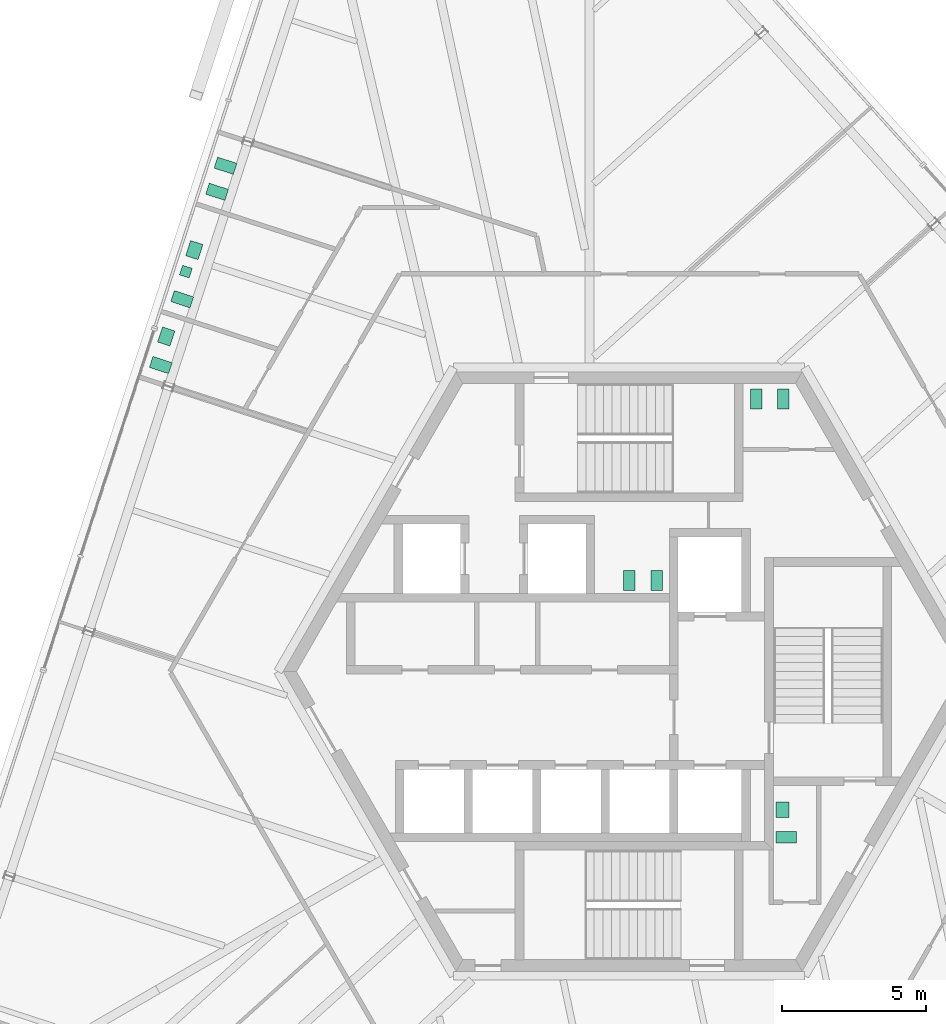
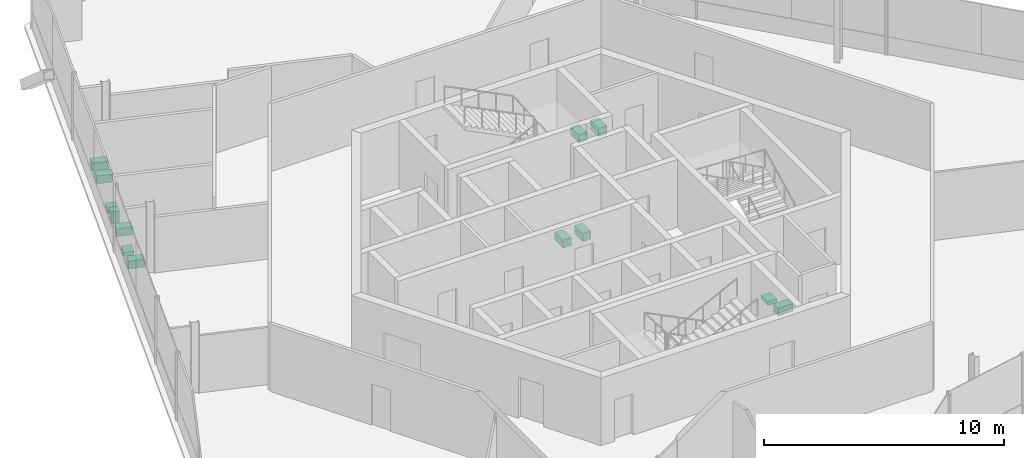
# One storey, part 14 of 14: 13 sanitary terminals.
"""IFC4 building model written with IfcOpenShell, lengths in metres."""

from ifc_helpers import new_model, si_unit, direction, frame, origin, origin_2d, place, context, subcontext, project, spatial, rectangle, extrude, source, transform, mapped, material, element, save


model = new_model("IFC4")

# Units and contexts
model_context = context("Model", 3, precision=1e-05, world=origin(), true_north=direction((0.0, 1.0)))
body_context = subcontext(model_context, "Body", "Model", "MODEL_VIEW")
ifc_project = project(units=[si_unit("LENGTHUNIT", "METRE"), si_unit("AREAUNIT", "SQUARE_METRE"), si_unit("VOLUMEUNIT", "CUBIC_METRE"), si_unit("PLANEANGLEUNIT", "RADIAN"), si_unit("MASSUNIT", "GRAM", prefix="KILO")], contexts=[model_context])

# Site, building, storey
site_placement = place(None, origin())
site = spatial("IfcSite", under=ifc_project, at=site_placement, CompositionType="ELEMENT")
building_placement = place(site_placement, origin())
building = spatial("IfcBuilding", under=site, at=building_placement, Name="Triune Harvest Tower", CompositionType="ELEMENT")
storey_placement = place(building_placement, frame((0.0, 0.0, 263.10009765625)))
storey = spatial("IfcBuildingStorey", under=building, at=storey_placement, Name="L69", CompositionType="ELEMENT", Elevation=263.10009765625)

# Sanitary terminals
ifc_material = material(Name="Vitreous china")
shared_shape_1 = source(origin(), body_context, "Body", "SweptSolid", [
    extrude(rectangle(XDim=0.39990234375, YDim=0.699951171875, at=origin_2d()), origin(), (0.0, 0.0, 1.0), 0.39990234375),
])
for number, where, z_axis, x_axis, name in (
    (1, (4.39990234375, 9.449951171875, 0.0), (0.0, 0.0, 1.0), (1.0, 0.0, 0.0), "Toilet pan L69.c01"),
    (2, (5.35009765625, 9.449951171875, 0.0), (0.0, 0.0, 1.0), (1.0, 0.0, 0.0), "Toilet pan L69.c02"),
    (3, (0.949951171875, 3.159912109375, 0.0), (0.0, 0.0, 1.0), (-1.0, 0.0, 0.0), "Toilet pan L69.c03"),
    (4, (0.0, 3.159912109375, 0.0), (0.0, 0.0, 1.0), (-1.0, 0.0, 0.0), "Toilet pan L69.c04"),
    (5, (5.449951171875, -5.739990234375, 0.0), (0.0, 0.0, 1.0), (0.0, 1.0, 0.0), "Toilet pan L69.c05"),
    (6, (-14.28857421875, 16.635498046875, 0.0), (0.0, 0.0, 1.0), (0.308983796052, 0.951067302444, 0.0), "Toilet pan 01"),
    (7, (-13.9951171875, 17.5390625, 0.0), (0.0, 0.0, 1.0), (0.308983796052, 0.951067302444, 0.0), "Toilet pan 02"),
    (8, (-15.4990234375, 12.910400390625, 0.0), (0.0, 0.0, 1.0), (0.30900039526, 0.951061909514, 0.0), "Toilet pan 03"),
    (9, (-16.240478515625, 10.627685546875, 0.0), (0.0, 0.0, 1.0), (0.308983796052, 0.951067302444, 0.0), "Toilet pan 06"),
):
    element("IfcSanitaryTerminal", number, at=place(storey_placement, frame(where, z_axis=z_axis, x_axis=x_axis)), inside=storey, material=ifc_material, Name=name, PredefinedType="TOILETPAN", context=body_context, shape_type="MappedRepresentation", body=[
        mapped(shared_shape_1, transform((0.0, 0.0, 0.0), scale=1.0)),
    ])
shared_shape_2 = source(origin(), body_context, "Body", "SweptSolid", [
    extrude(rectangle(XDim=0.35009765625, YDim=0.35009765625, at=origin_2d()), origin(), (0.0, 0.0, 1.0), 0.60009765625),
])
sanitary_terminal_placement = place(storey_placement, frame((-15.371826171875, 13.867919921875, -0.000244140625), z_axis=(0.0, 0.0, 1.0), x_axis=(0.30900039526, 0.951061909514, 0.0)))
element("IfcSanitaryTerminal", 10, at=sanitary_terminal_placement, inside=storey, material=ifc_material, Name="Urinal 04", PredefinedType="URINAL", context=body_context, shape_type="MappedRepresentation", body=[
    mapped(shared_shape_2, transform((0.0, 0.0, 0.0), scale=1.0)),
])
shared_shape_3 = source(origin(), body_context, "Body", "SweptSolid", [
    extrude(rectangle(XDim=0.550048828125, YDim=0.449951171875, at=origin_2d()), origin(), (0.0, 0.0, 1.0), 0.199951171875),
])
for number, where, z_axis, x_axis, name in (
    (11, (5.324951171875, -4.7900390625, 0.0), (0.0, 0.0, 1.0), (0.0, 1.0, 0.0), "Wash basin L69.c06"),
    (12, (-15.0771484375, 14.61328125, 0.0), (0.0, 0.0, 1.0), (0.30900039526, 0.951061909514, 0.0), "Wash basin 05"),
    (13, (-16.050537109375, 11.617431640625, 0.0), (0.0, 0.0, 1.0), (0.308983796052, 0.951067302444, 0.0), "Wash basin 07"),
):
    element("IfcSanitaryTerminal", number, at=place(storey_placement, frame(where, z_axis=z_axis, x_axis=x_axis)), inside=storey, material=ifc_material, Name=name, PredefinedType="WASHHANDBASIN", context=body_context, shape_type="MappedRepresentation", body=[
        mapped(shared_shape_3, transform((0.0, 0.0, 0.0), scale=1.0)),
    ])

save(model, "model.ifc")
